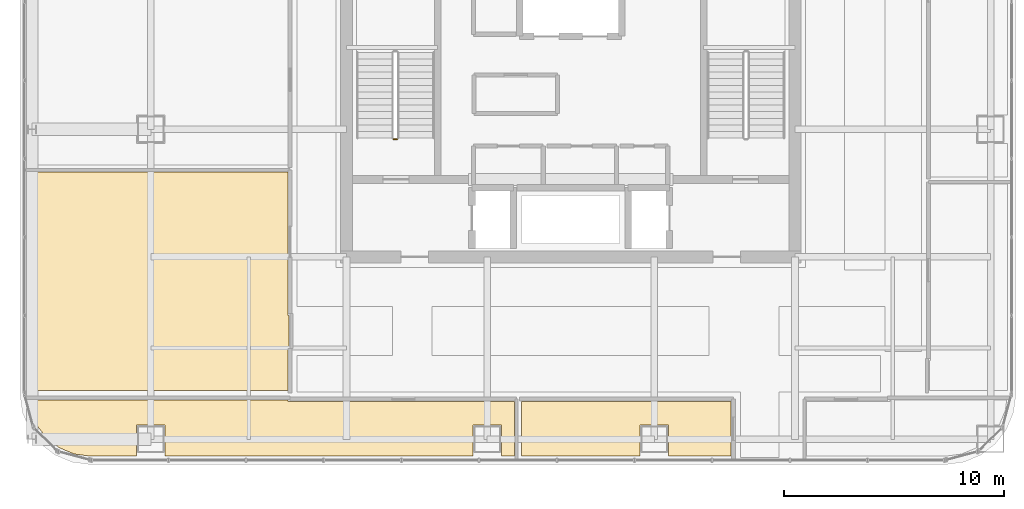
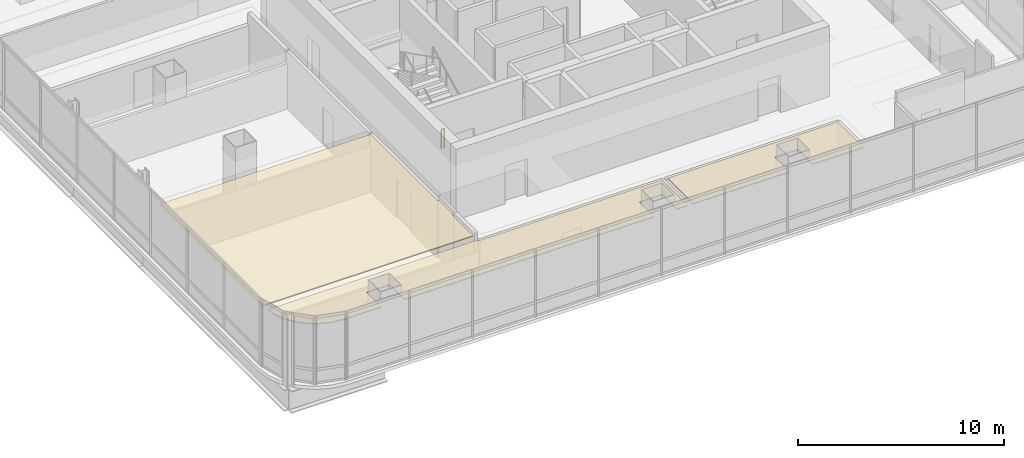
# One storey, part 37 of 41: 3 coverings, 1 railing.
"""IFC4 building model written with IfcOpenShell, lengths in metres."""

from ifc_helpers import new_model, si_unit, direction, frame, origin, origin_2d, place, context, subcontext, project, spatial, polyline, circle, outline, extrude, material, layer, layer_set, type_object, element, save


model = new_model("IFC4")

# Units and contexts
model_context = context("Model", 3, precision=1e-05, world=origin(), true_north=direction((0.0, 1.0)))
body_context = subcontext(model_context, "Body", "Model", "MODEL_VIEW")
ifc_project = project(units=[si_unit("LENGTHUNIT", "METRE"), si_unit("AREAUNIT", "SQUARE_METRE"), si_unit("VOLUMEUNIT", "CUBIC_METRE"), si_unit("PLANEANGLEUNIT", "RADIAN"), si_unit("MASSUNIT", "GRAM", prefix="KILO")], contexts=[model_context])

# Site, building, storey
site_placement = place(None, origin())
site = spatial("IfcSite", under=ifc_project, at=site_placement, CompositionType="ELEMENT")
building_placement = place(site_placement, origin())
building = spatial("IfcBuilding", under=site, at=building_placement, Name="Punatoya Terracotta Tower", CompositionType="ELEMENT")
storey_placement = place(building_placement, frame((0.0, 0.0, 309.0)))
storey = spatial("IfcBuildingStorey", under=building, at=storey_placement, Name="L73", CompositionType="ELEMENT", Elevation=309.0)

# Coverings
ifc_material_1 = material(Name="Acoustic Mineral Fibre Ceiling")
ifc_layer = layer(ifc_material_1, 0.06005859375)
ifc_layer_set = layer_set([ifc_layer], Name="Acoustic Mineral Fibre Ceiling")
covering_type = type_object("IfcCoveringType", Name="COV-CEIL-60", PredefinedType="CEILING", material=ifc_layer_set)
covering_1_placement = place(storey_placement, frame((0.0, 0.0, 3.389892578125)))
element("IfcCovering", 1, at=covering_1_placement, inside=storey, type_object=covering_type, Name="L73 Open-Plan Computational Simulation Laboratory Acoustic Ceiling", PredefinedType="CEILING", context=body_context, shape_type="SweptSolid", body=[
    extrude(outline(polyline([(-23.25830078125, -17.889404296875), (-22.5791015625, -18.1708984375), (-21.8251953125, -18.27001953125), (-19.75, -18.27001953125), (-19.75, -16.85009765625), (-18.449951171875, -16.85009765625), (-18.449951171875, -18.27001953125), (-4.449951171875, -18.27001953125), (-4.449951171875, -16.85009765625), (-3.14990234375, -16.85009765625), (-3.14990234375, -18.27001953125), (-2.56005859375, -18.27001953125), (-2.56005859375, -15.77001953125), (-12.8701171875, -15.77001953125), (-12.8701171875, -15.7099609375), (-24.632568359375, -15.7099609375), (-24.57080078125, -16.178955078125), (-24.289306640625, -16.8583984375), (-23.841796875, -17.441650390625), (-23.25830078125, -17.889404296875)])), origin(), (0.0, 0.0, 1.0), 0.06005859375),
])
covering_2_placement = place(storey_placement, frame((0.0, 0.0, 3.389892578125)))
element("IfcCovering", 2, at=covering_2_placement, inside=storey, type_object=covering_type, Name="L73 Open-Plan Cartography Reference Library Acoustic Ceiling", PredefinedType="CEILING", context=body_context, shape_type="SweptSolid", body=[
    extrude(outline(polyline([(3.14990234375, -18.27001953125), (3.14990234375, -16.85009765625), (4.449951171875, -16.85009765625), (4.449951171875, -18.27001953125), (7.300048828125, -18.27001953125), (7.300048828125, -15.77001953125), (-2.239990234375, -15.77001953125), (-2.239990234375, -18.27001953125), (3.14990234375, -18.27001953125)])), origin(), (0.0, 0.0, 1.0), 0.06005859375),
])
covering_3_placement = place(storey_placement, frame((0.0, 0.0, 3.389892578125)))
element("IfcCovering", 3, at=covering_3_placement, inside=storey, type_object=covering_type, Name="L73 Technical Seminar Room Acoustic Ceiling", PredefinedType="CEILING", context=body_context, shape_type="SweptSolid", body=[
    extrude(outline(polyline([(-12.8701171875, -13.280029296875), (-12.81005859375, -13.280029296875), (-12.81005859375, -11.8701171875), (-12.8701171875, -11.8701171875), (-12.8701171875, -5.35009765625), (-24.669921875, -5.35009765625), (-24.669921875, -15.2900390625), (-12.8701171875, -15.2900390625), (-12.8701171875, -13.280029296875)])), origin(), (0.0, 0.0, 1.0), 0.06005859375),
])

# Railing
ifc_material_2 = material(Name="Steel S355", Category="steel")
railing_type = type_object("IfcRailingType", Name="RLG-GRD-1150", PredefinedType="GUARDRAIL", material=ifc_material_2)
railing_placement = place(storey_placement, frame((-7.89990234375, -3.85009765625, 0.0)))
element("IfcRailing", 4, at=railing_placement, inside=storey, type_object=railing_type, Name="L73 ST-1 stair guard 4", PredefinedType="GUARDRAIL", context=body_context, shape_type="SweptSolid", body=[
    extrude(circle(Radius=0.02392578125, at=origin_2d()), frame((0.0, 0.0, 1.1259765625), z_axis=(-1.0, 0.0, 0.0), x_axis=(0.0, -1.0, 0.0)), (0.0, 0.0, 1.0), 0.150146484375),
    extrude(circle(Radius=0.02099609375, at=origin_2d()), origin(), (0.0, 0.0, 1.0), 1.101806640625),
    extrude(circle(Radius=0.02099609375, at=origin_2d()), frame((-0.150146484375, 0.0, 0.0)), (0.0, 0.0, 1.0), 1.101806640625),
])

save(model, "model.ifc")
